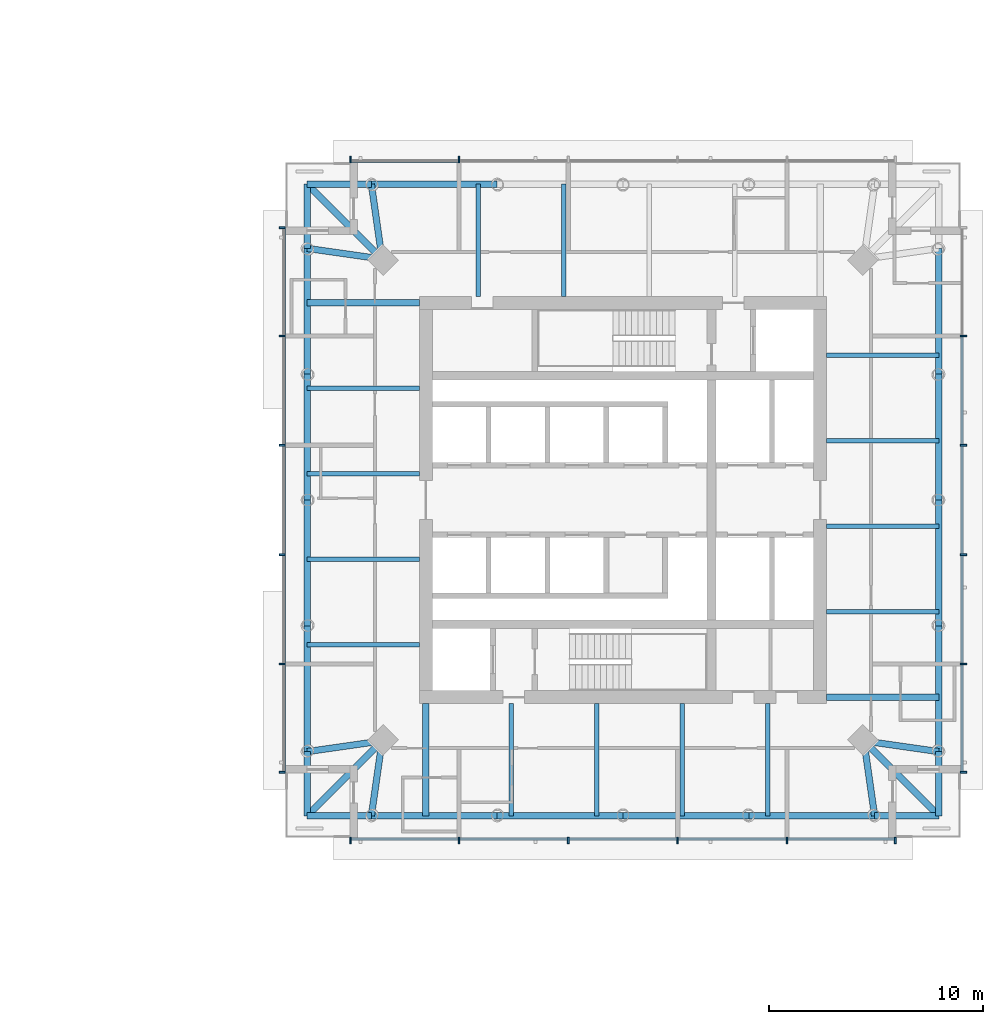
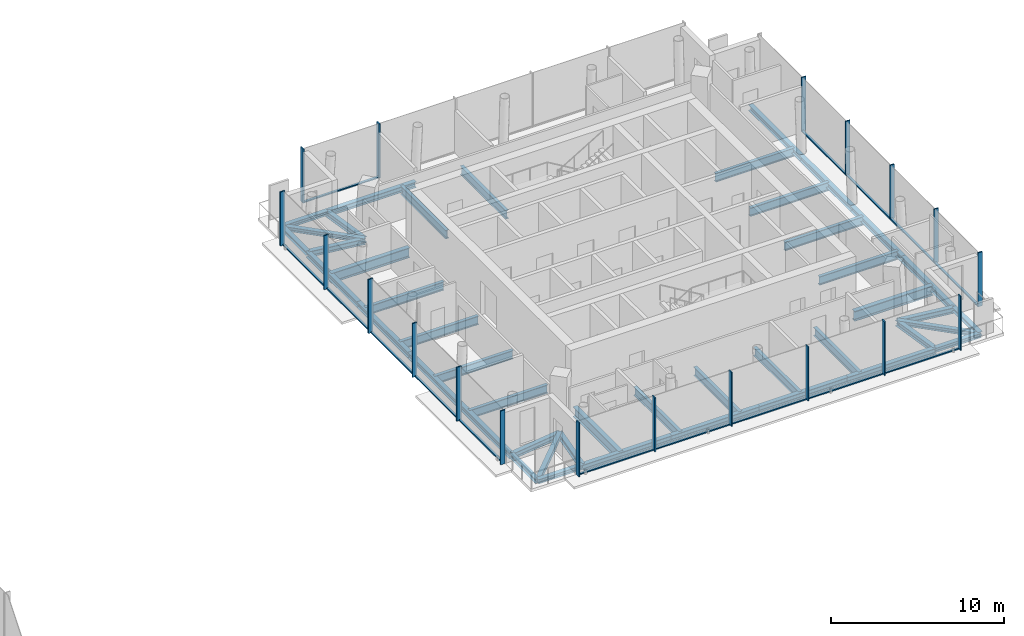
# One storey, part 4 of 19: 45 beams, 34 members, 4 elements without a shape of their own.
"""IFC4 building model written with IfcOpenShell, lengths in metres."""

from ifc_helpers import new_model, si_unit, direction, frame, origin, origin_2d, place, context, subcontext, project, spatial, rectangle, i_section, extrude, material, material_profile, profile_set, type_object, element, aggregate, save


model = new_model("IFC4")

# Units and contexts
model_context = context("Model", 3, precision=1e-05, world=origin(), true_north=direction((0.0, 1.0)))
body_context = subcontext(model_context, "Body", "Model", "MODEL_VIEW")
ifc_project = project(units=[si_unit("LENGTHUNIT", "METRE"), si_unit("AREAUNIT", "SQUARE_METRE"), si_unit("VOLUMEUNIT", "CUBIC_METRE"), si_unit("PLANEANGLEUNIT", "RADIAN"), si_unit("MASSUNIT", "GRAM", prefix="KILO")], contexts=[model_context])

# Site, building, storey
site_placement = place(None, origin())
site = spatial("IfcSite", under=ifc_project, at=site_placement, CompositionType="ELEMENT")
building_placement = place(site_placement, origin())
building = spatial("IfcBuilding", under=site, at=building_placement, Name="Ostroluk Exchange", CompositionType="ELEMENT")
storey_placement = place(building_placement, frame((0.0, 0.0, 119.800048828125)))
storey = spatial("IfcBuildingStorey", under=building, at=storey_placement, Name="L30", CompositionType="ELEMENT", Elevation=119.800048828125)

# Beams
ifc_material_1 = material(Name="Steel S355", Category="steel")
ifc_material_profile_1 = material_profile(ifc_material_1, i_section(OverallWidth=0.300048828125, OverallDepth=0.300048828125, WebThickness=0.010986328125, FlangeThickness=0.01904296875, FilletRadius=0.027099609375, at=origin_2d()), Name="HEB 300")
ifc_profile_set_1 = profile_set([ifc_material_profile_1], Name="Steel S355")
beam_type_1 = type_object("IfcBeamType", Name="Balcony beam HEB 300", PredefinedType="BEAM", material=ifc_profile_set_1)
for number, where, z_axis, x_axis, name in (
    (1, (105.258544921875, 60.741455078125, -0.35009765625), (-1.0, 0.0, 0.0), (0.0, -1.0, 0.0), "T2 north balcony beam a"),
    (2, (102.258544921875, 57.741455078125, -0.35009765625), (0.0, 1.0, 0.0), (-1.0, 0.0, 0.0), "T2 north balcony beam b"),
):
    element("IfcBeam", number, at=place(storey_placement, frame(where, z_axis=z_axis, x_axis=x_axis)), inside=storey, type_object=beam_type_1, Name=name, PredefinedType="BEAM", context=body_context, shape_type="SweptSolid", body=[
        extrude(i_section(OverallWidth=0.300048828125, OverallDepth=0.300048828125, WebThickness=0.010986328125, FlangeThickness=0.01904296875, FilletRadius=0.027099609375, at=origin_2d()), origin(), (0.0, 0.0, 1.0), 3.0),
    ])
beam_1_placement = place(storey_placement, frame((105.758544921875, 57.241455078125, -0.35009765625), z_axis=(-0.707106781187, 0.707106781187, 0.0), x_axis=(-0.707106781187, -0.707106781187, 0.0)))
element("IfcBeam", 3, at=beam_1_placement, inside=storey, type_object=beam_type_1, Name="T2 north balcony beam c", PredefinedType="BEAM", context=body_context, shape_type="SweptSolid", body=[
    extrude(i_section(OverallWidth=0.300048828125, OverallDepth=0.300048828125, WebThickness=0.010986328125, FlangeThickness=0.01904296875, FilletRadius=0.027099609375, at=origin_2d()), origin(), (0.0, 0.0, 1.0), 4.94970703125),
])
for number, where, z_axis, x_axis, name in (
    (4, (102.258544921875, 34.258544921875, -0.35009765625), (0.0, -1.0, 0.0), (1.0, 0.0, 0.0), "T2 west balcony beam a"),
    (5, (105.258544921875, 31.258544921875, -0.35009765625), (-1.0, 0.0, 0.0), (0.0, -1.0, 0.0), "T2 west balcony beam b"),
):
    element("IfcBeam", number, at=place(storey_placement, frame(where, z_axis=z_axis, x_axis=x_axis)), inside=storey, type_object=beam_type_1, Name=name, PredefinedType="BEAM", context=body_context, shape_type="SweptSolid", body=[
        extrude(i_section(OverallWidth=0.300048828125, OverallDepth=0.300048828125, WebThickness=0.010986328125, FlangeThickness=0.01904296875, FilletRadius=0.027099609375, at=origin_2d()), origin(), (0.0, 0.0, 1.0), 3.0),
    ])
beam_2_placement = place(storey_placement, frame((105.758544921875, 34.758544921875, -0.35009765625), z_axis=(-0.707106781187, -0.707106781187, 0.0), x_axis=(0.707106781187, -0.707106781187, 0.0)))
element("IfcBeam", 6, at=beam_2_placement, inside=storey, type_object=beam_type_1, Name="T2 west balcony beam c", PredefinedType="BEAM", context=body_context, shape_type="SweptSolid", body=[
    extrude(i_section(OverallWidth=0.300048828125, OverallDepth=0.300048828125, WebThickness=0.010986328125, FlangeThickness=0.01904296875, FilletRadius=0.027099609375, at=origin_2d()), origin(), (0.0, 0.0, 1.0), 4.94970703125),
])
for number, where, z_axis, x_axis, name in (
    (7, (128.741455078125, 31.258544921875, -0.35009765625), (1.0, 0.0, 0.0), (0.0, 1.0, 0.0), "T2 south balcony beam a"),
    (8, (131.741455078125, 34.258544921875, -0.35009765625), (0.0, -1.0, 0.0), (1.0, 0.0, 0.0), "T2 south balcony beam b"),
):
    element("IfcBeam", number, at=place(storey_placement, frame(where, z_axis=z_axis, x_axis=x_axis)), inside=storey, type_object=beam_type_1, Name=name, PredefinedType="BEAM", context=body_context, shape_type="SweptSolid", body=[
        extrude(i_section(OverallWidth=0.300048828125, OverallDepth=0.300048828125, WebThickness=0.010986328125, FlangeThickness=0.01904296875, FilletRadius=0.027099609375, at=origin_2d()), origin(), (0.0, 0.0, 1.0), 3.0),
    ])
beam_3_placement = place(storey_placement, frame((128.241455078125, 34.758544921875, -0.35009765625), z_axis=(0.707106781187, -0.707106781187, 0.0), x_axis=(0.707106781187, 0.707106781187, 0.0)))
element("IfcBeam", 9, at=beam_3_placement, inside=storey, type_object=beam_type_1, Name="T2 south balcony beam c", PredefinedType="BEAM", context=body_context, shape_type="SweptSolid", body=[
    extrude(i_section(OverallWidth=0.300048828125, OverallDepth=0.300048828125, WebThickness=0.010986328125, FlangeThickness=0.01904296875, FilletRadius=0.027099609375, at=origin_2d()), origin(), (0.0, 0.0, 1.0), 4.94970703125),
])
ifc_material_2 = material(Name="Steel S355", Category="steel")
ifc_material_profile_2 = material_profile(ifc_material_2, i_section(OverallWidth=0.300048828125, OverallDepth=0.39990234375, WebThickness=0.013427734375, FlangeThickness=0.02392578125, FilletRadius=0.027099609375, at=origin_2d()), Name="HEB 400")
ifc_profile_set_2 = profile_set([ifc_material_profile_2], Name="Steel S355")
beam_type_2 = type_object("IfcBeamType", Name="Corner edge beam HEB 400", PredefinedType="SPANDREL", material=ifc_profile_set_2)
for number, where, z_axis, x_axis, name in (
    (10, (105.758544921875, 57.241455078125, -0.400146484375), (-0.141421356237, 0.989949493661, 0.0), (-0.989949493661, -0.141421356237, 0.0), "T2 north corner edge beam a"),
    (11, (105.758544921875, 57.241455078125, -0.400146484375), (-0.989949493661, 0.141421356237, 0.0), (-0.141421356237, -0.989949493661, 0.0), "T2 north corner edge beam b"),
    (12, (105.758544921875, 34.758544921875, -0.400146484375), (-0.989949493661, -0.141421356237, 0.0), (0.141421356237, -0.989949493661, 0.0), "T2 west corner edge beam a"),
    (13, (105.758544921875, 34.758544921875, -0.400146484375), (-0.141421356237, -0.989949493661, 0.0), (0.989949493661, -0.141421356237, 0.0), "T2 west corner edge beam b"),
    (14, (128.241455078125, 34.758544921875, -0.400146484375), (0.141421356237, -0.989949493661, 0.0), (0.989949493661, 0.141421356237, 0.0), "T2 south corner edge beam a"),
    (15, (128.241455078125, 34.758544921875, -0.400146484375), (0.989949493661, -0.141421356237, 0.0), (0.141421356237, 0.989949493661, 0.0), "T2 south corner edge beam b"),
):
    element("IfcBeam", number, at=place(storey_placement, frame(where, z_axis=z_axis, x_axis=x_axis)), inside=storey, type_object=beam_type_2, Name=name, PredefinedType="SPANDREL", context=body_context, shape_type="SweptSolid", body=[
        extrude(i_section(OverallWidth=0.300048828125, OverallDepth=0.39990234375, WebThickness=0.013427734375, FlangeThickness=0.02392578125, FilletRadius=0.027099609375, at=origin_2d()), origin(), (0.0, 0.0, 1.0), 3.53564453125),
    ])
ifc_material_3 = material(Name="Steel S355", Category="steel")
ifc_material_profile_3 = material_profile(ifc_material_3, i_section(OverallWidth=0.219970703125, OverallDepth=0.60009765625, WebThickness=0.011962890625, FlangeThickness=0.01904296875, FilletRadius=0.02392578125, at=origin_2d()), Name="IPE 600")
ifc_profile_set_3 = profile_set([ifc_material_profile_3], Name="Steel S355")
beam_type_3 = type_object("IfcBeamType", Name="Floor beam IPE 600", PredefinedType="BEAM", material=ifc_profile_set_3)
for number, where, z_axis, x_axis, name in (
    (16, (126.5, 40.790283203125, -0.5), (1.0, 0.0, 0.0), (0.0, 1.0, 0.0), "T2 east floor beam 1"),
    (17, (126.5, 44.780517578125, -0.5), (1.0, 0.0, 0.0), (0.0, 1.0, 0.0), "T2 east floor beam 2"),
    (18, (126.5, 48.770751953125, -0.5), (1.0, 0.0, 0.0), (0.0, 1.0, 0.0), "T2 east floor beam 3"),
    (19, (126.5, 52.760986328125, -0.5), (1.0, 0.0, 0.0), (0.0, 1.0, 0.0), "T2 east floor beam 4"),
    (20, (114.229248046875, 55.5, -0.5), (0.0, 1.0, 0.0), (-1.0, 0.0, 0.0), "T2 north floor beam 3"),
    (21, (110.239013671875, 55.5, -0.5), (0.0, 1.0, 0.0), (-1.0, 0.0, 0.0), "T2 north floor beam 4"),
    (22, (107.5, 51.209716796875, -0.5), (-1.0, 0.0, 0.0), (0.0, -1.0, 0.0), "T2 west floor beam 1"),
    (23, (107.5, 47.219482421875, -0.5), (-1.0, 0.0, 0.0), (0.0, -1.0, 0.0), "T2 west floor beam 2"),
    (24, (107.5, 43.229248046875, -0.5), (-1.0, 0.0, 0.0), (0.0, -1.0, 0.0), "T2 west floor beam 3"),
    (25, (107.5, 39.239013671875, -0.5), (-1.0, 0.0, 0.0), (0.0, -1.0, 0.0), "T2 west floor beam 4"),
    (26, (111.790283203125, 36.5, -0.5), (0.0, -1.0, 0.0), (1.0, 0.0, 0.0), "T2 south floor beam 1"),
    (27, (115.780517578125, 36.5, -0.5), (0.0, -1.0, 0.0), (1.0, 0.0, 0.0), "T2 south floor beam 2"),
    (28, (119.770751953125, 36.5, -0.5), (0.0, -1.0, 0.0), (1.0, 0.0, 0.0), "T2 south floor beam 3"),
    (29, (123.760986328125, 36.5, -0.5), (0.0, -1.0, 0.0), (1.0, 0.0, 0.0), "T2 south floor beam 4"),
):
    element("IfcBeam", number, at=place(storey_placement, frame(where, z_axis=z_axis, x_axis=x_axis)), inside=storey, type_object=beam_type_3, Name=name, PredefinedType="BEAM", context=body_context, shape_type="SweptSolid", body=[
        extrude(i_section(OverallWidth=0.219970703125, OverallDepth=0.60009765625, WebThickness=0.011962890625, FlangeThickness=0.01904296875, FilletRadius=0.02392578125, at=origin_2d()), origin(), (0.0, 0.0, 1.0), 5.241455078125),
    ])
ifc_material_4 = material(Name="Steel S355", Category="steel")
ifc_material_profile_4 = material_profile(ifc_material_4, i_section(OverallWidth=0.300048828125, OverallDepth=0.699951171875, WebThickness=0.01708984375, FlangeThickness=0.031982421875, FilletRadius=0.027099609375, at=origin_2d()), Name="HEB 700")
ifc_profile_set_4 = profile_set([ifc_material_profile_4], Name="Steel S355")
beam_type_4 = type_object("IfcBeamType", Name="Girder HEB 700", PredefinedType="BEAM", material=ifc_profile_set_4)
for number, where, z_axis, x_axis, name in (
    (30, (107.5, 55.199951171875, -0.550048828125), (-1.0, 0.0, 0.0), (0.0, -1.0, 0.0), "T2 north girder"),
    (31, (107.800048828125, 36.5, -0.550048828125), (0.0, -1.0, 0.0), (1.0, 0.0, 0.0), "T2 west girder"),
    (32, (126.5, 36.800048828125, -0.550048828125), (1.0, 0.0, 0.0), (0.0, 1.0, 0.0), "T2 south girder"),
):
    element("IfcBeam", number, at=place(storey_placement, frame(where, z_axis=z_axis, x_axis=x_axis)), inside=storey, type_object=beam_type_4, Name=name, PredefinedType="BEAM", context=body_context, shape_type="SweptSolid", body=[
        extrude(i_section(OverallWidth=0.300048828125, OverallDepth=0.699951171875, WebThickness=0.01708984375, FlangeThickness=0.031982421875, FilletRadius=0.027099609375, at=origin_2d()), origin(), (0.0, 0.0, 1.0), 5.241455078125),
    ])
ifc_material_5 = material(Name="Steel S355", Category="steel")
ifc_material_profile_5 = material_profile(ifc_material_5, i_section(OverallWidth=0.300048828125, OverallDepth=0.39990234375, WebThickness=0.013427734375, FlangeThickness=0.02392578125, FilletRadius=0.027099609375, at=origin_2d()), Name="HEB 400")
ifc_profile_set_5 = profile_set([ifc_material_profile_5], Name="Steel S355")
beam_type_5 = type_object("IfcBeamType", Name="Moment-connected edge beam HEB 400", PredefinedType="SPANDREL", material=ifc_profile_set_5)
beam_4_placement = place(storey_placement, frame((131.741455078125, 34.258544921875, -0.400146484375), z_axis=(0.0, 1.0, 0.0), x_axis=(-1.0, 0.0, 0.0)))
element("IfcBeam", 33, at=beam_4_placement, inside=storey, type_object=beam_type_5, Name="T2 east edge beam 1", PredefinedType="SPANDREL", context=body_context, shape_type="SweptSolid", body=[
    extrude(i_section(OverallWidth=0.300048828125, OverallDepth=0.39990234375, WebThickness=0.013427734375, FlangeThickness=0.02392578125, FilletRadius=0.027099609375, at=origin_2d()), origin(), (0.0, 0.0, 1.0), 5.870849609375),
])
for number, where, z_axis, x_axis, name in (
    (34, (131.741455078125, 40.12939453125, -0.400146484375), (0.0, 1.0, 0.0), (-1.0, 0.0, 0.0), "T2 east edge beam 2"),
    (35, (131.741455078125, 46.0, -0.400146484375), (0.0, 1.0, 0.0), (-1.0, 0.0, 0.0), "T2 east edge beam 3"),
):
    element("IfcBeam", number, at=place(storey_placement, frame(where, z_axis=z_axis, x_axis=x_axis)), inside=storey, type_object=beam_type_5, Name=name, PredefinedType="SPANDREL", context=body_context, shape_type="SweptSolid", body=[
        extrude(i_section(OverallWidth=0.300048828125, OverallDepth=0.39990234375, WebThickness=0.013427734375, FlangeThickness=0.02392578125, FilletRadius=0.027099609375, at=origin_2d()), origin(), (0.0, 0.0, 1.0), 5.87060546875),
    ])
for number, where, z_axis, x_axis, name in (
    (36, (131.741455078125, 51.87060546875, -0.400146484375), (0.0, 1.0, 0.0), (-1.0, 0.0, 0.0), "T2 east edge beam 4"),
    (37, (111.12939453125, 60.741455078125, -0.400146484375), (-1.0, 0.0, 0.0), (0.0, -1.0, 0.0), "T2 north edge beam 4"),
    (38, (102.258544921875, 57.741455078125, -0.400146484375), (0.0, -1.0, 0.0), (1.0, 0.0, 0.0), "T2 west edge beam 1"),
):
    element("IfcBeam", number, at=place(storey_placement, frame(where, z_axis=z_axis, x_axis=x_axis)), inside=storey, type_object=beam_type_5, Name=name, PredefinedType="SPANDREL", context=body_context, shape_type="SweptSolid", body=[
        extrude(i_section(OverallWidth=0.300048828125, OverallDepth=0.39990234375, WebThickness=0.013427734375, FlangeThickness=0.02392578125, FilletRadius=0.027099609375, at=origin_2d()), origin(), (0.0, 0.0, 1.0), 5.870849609375),
    ])
for number, where, z_axis, x_axis, name in (
    (39, (102.258544921875, 51.87060546875, -0.400146484375), (0.0, -1.0, 0.0), (1.0, 0.0, 0.0), "T2 west edge beam 2"),
    (40, (102.258544921875, 46.0, -0.400146484375), (0.0, -1.0, 0.0), (1.0, 0.0, 0.0), "T2 west edge beam 3"),
):
    element("IfcBeam", number, at=place(storey_placement, frame(where, z_axis=z_axis, x_axis=x_axis)), inside=storey, type_object=beam_type_5, Name=name, PredefinedType="SPANDREL", context=body_context, shape_type="SweptSolid", body=[
        extrude(i_section(OverallWidth=0.300048828125, OverallDepth=0.39990234375, WebThickness=0.013427734375, FlangeThickness=0.02392578125, FilletRadius=0.027099609375, at=origin_2d()), origin(), (0.0, 0.0, 1.0), 5.87060546875),
    ])
for number, where, z_axis, x_axis, name in (
    (41, (102.258544921875, 40.12939453125, -0.400146484375), (0.0, -1.0, 0.0), (1.0, 0.0, 0.0), "T2 west edge beam 4"),
    (42, (105.258544921875, 31.258544921875, -0.400146484375), (1.0, 0.0, 0.0), (0.0, 1.0, 0.0), "T2 south edge beam 1"),
):
    element("IfcBeam", number, at=place(storey_placement, frame(where, z_axis=z_axis, x_axis=x_axis)), inside=storey, type_object=beam_type_5, Name=name, PredefinedType="SPANDREL", context=body_context, shape_type="SweptSolid", body=[
        extrude(i_section(OverallWidth=0.300048828125, OverallDepth=0.39990234375, WebThickness=0.013427734375, FlangeThickness=0.02392578125, FilletRadius=0.027099609375, at=origin_2d()), origin(), (0.0, 0.0, 1.0), 5.870849609375),
    ])
for number, where, z_axis, x_axis, name in (
    (43, (111.12939453125, 31.258544921875, -0.400146484375), (1.0, 0.0, 0.0), (0.0, 1.0, 0.0), "T2 south edge beam 2"),
    (44, (117.0, 31.258544921875, -0.400146484375), (1.0, 0.0, 0.0), (0.0, 1.0, 0.0), "T2 south edge beam 3"),
):
    element("IfcBeam", number, at=place(storey_placement, frame(where, z_axis=z_axis, x_axis=x_axis)), inside=storey, type_object=beam_type_5, Name=name, PredefinedType="SPANDREL", context=body_context, shape_type="SweptSolid", body=[
        extrude(i_section(OverallWidth=0.300048828125, OverallDepth=0.39990234375, WebThickness=0.013427734375, FlangeThickness=0.02392578125, FilletRadius=0.027099609375, at=origin_2d()), origin(), (0.0, 0.0, 1.0), 5.87060546875),
    ])
beam_5_placement = place(storey_placement, frame((122.87060546875, 31.258544921875, -0.400146484375), z_axis=(1.0, 0.0, 0.0), x_axis=(0.0, 1.0, 0.0)))
element("IfcBeam", 45, at=beam_5_placement, inside=storey, type_object=beam_type_5, Name="T2 south edge beam 4", PredefinedType="SPANDREL", context=body_context, shape_type="SweptSolid", body=[
    extrude(i_section(OverallWidth=0.300048828125, OverallDepth=0.39990234375, WebThickness=0.013427734375, FlangeThickness=0.02392578125, FilletRadius=0.027099609375, at=origin_2d()), origin(), (0.0, 0.0, 1.0), 5.870849609375),
])

# Curtain wall, members
ifc_material_6 = material(Name="Laminated clear glass", Category="glass")
curtain_wall_type = type_object("IfcCurtainWallType", Name="Hotel guest floor facade", PredefinedType="USERDEFINED", material=ifc_material_6)
curtain_wall_1_placement = place(storey_placement, origin())
curtain_wall_1 = element("IfcCurtainWall", 46, at=curtain_wall_1_placement, inside=storey, type_object=curtain_wall_type, Name="Hotel tower south facade L30", ObjectType="UNITISED CURTAIN WALL", PredefinedType="USERDEFINED")
ifc_material_7 = material(Name="Aluminium mullion", Category="aluminium")
ifc_material_profile_6 = material_profile(ifc_material_7, rectangle(XDim=0.14990234375, YDim=0.080078125, at=origin_2d()), Name="Sill transom 80 x 150")
ifc_profile_set_6 = profile_set([ifc_material_profile_6], Name="Aluminium mullion")
member_type_1 = type_object("IfcMemberType", Name="Sill transom 80 x 150", PredefinedType="USERDEFINED", material=ifc_profile_set_6)
member_1_placement = place(storey_placement, frame((104.330078125, 30.175048828125, 0.0400390625), z_axis=(1.0, 0.0, 0.0), x_axis=(0.0, 1.0, 0.0)))
member_1 = element("IfcMember", 47, at=member_1_placement, type_object=member_type_1, Name="CW-H1 transom 1.1", ObjectType="TRANSOM", PredefinedType="USERDEFINED", context=body_context, shape_type="SweptSolid", body=[
    extrude(rectangle(XDim=0.14990234375, YDim=0.080078125, at=origin_2d()), origin(), (0.0, 0.0, 1.0), 4.97998046875),
])
member_2_placement = place(storey_placement, frame((109.389892578125, 30.175048828125, 0.0400390625), z_axis=(1.0, 0.0, 0.0), x_axis=(0.0, 1.0, 0.0)))
member_2 = element("IfcMember", 48, at=member_2_placement, type_object=member_type_1, Name="CW-H1 transom 2.1", ObjectType="TRANSOM", PredefinedType="USERDEFINED", context=body_context, shape_type="SweptSolid", body=[
    extrude(rectangle(XDim=0.14990234375, YDim=0.080078125, at=origin_2d()), origin(), (0.0, 0.0, 1.0), 5.02001953125),
])
member_3_placement = place(storey_placement, frame((114.489990234375, 30.175048828125, 0.0400390625), z_axis=(1.0, 0.0, 0.0), x_axis=(0.0, 1.0, 0.0)))
member_3 = element("IfcMember", 49, at=member_3_placement, type_object=member_type_1, Name="CW-H1 transom 3.1", ObjectType="TRANSOM", PredefinedType="USERDEFINED", context=body_context, shape_type="SweptSolid", body=[
    extrude(rectangle(XDim=0.14990234375, YDim=0.080078125, at=origin_2d()), origin(), (0.0, 0.0, 1.0), 5.02001953125),
])
member_4_placement = place(storey_placement, frame((119.590087890625, 30.175048828125, 0.0400390625), z_axis=(1.0, 0.0, 0.0), x_axis=(0.0, 1.0, 0.0)))
member_4 = element("IfcMember", 50, at=member_4_placement, type_object=member_type_1, Name="CW-H1 transom 4.1", ObjectType="TRANSOM", PredefinedType="USERDEFINED", context=body_context, shape_type="SweptSolid", body=[
    extrude(rectangle(XDim=0.14990234375, YDim=0.080078125, at=origin_2d()), origin(), (0.0, 0.0, 1.0), 5.02001953125),
])
member_5_placement = place(storey_placement, frame((124.68994140625, 30.175048828125, 0.0400390625), z_axis=(1.0, 0.0, 0.0), x_axis=(0.0, 1.0, 0.0)))
member_5 = element("IfcMember", 51, at=member_5_placement, type_object=member_type_1, Name="CW-H1 transom 5.1", ObjectType="TRANSOM", PredefinedType="USERDEFINED", context=body_context, shape_type="SweptSolid", body=[
    extrude(rectangle(XDim=0.14990234375, YDim=0.080078125, at=origin_2d()), origin(), (0.0, 0.0, 1.0), 4.97998046875),
])

curtain_wall_2_placement = place(storey_placement, origin())
curtain_wall_2 = element("IfcCurtainWall", 52, at=curtain_wall_2_placement, inside=storey, type_object=curtain_wall_type, Name="Hotel tower east facade L30", ObjectType="UNITISED CURTAIN WALL", PredefinedType="USERDEFINED")
member_6_placement = place(storey_placement, frame((132.824951171875, 33.330078125, 0.0400390625), z_axis=(0.0, 1.0, 0.0), x_axis=(-1.0, 0.0, 0.0)))
member_6 = element("IfcMember", 53, at=member_6_placement, type_object=member_type_1, Name="CW-H1 transom 1.1", ObjectType="TRANSOM", PredefinedType="USERDEFINED", context=body_context, shape_type="SweptSolid", body=[
    extrude(rectangle(XDim=0.14990234375, YDim=0.080078125, at=origin_2d()), origin(), (0.0, 0.0, 1.0), 4.97998046875),
])
member_7_placement = place(storey_placement, frame((132.824951171875, 38.389892578125, 0.0400390625), z_axis=(0.0, 1.0, 0.0), x_axis=(-1.0, 0.0, 0.0)))
member_7 = element("IfcMember", 54, at=member_7_placement, type_object=member_type_1, Name="CW-H1 transom 2.1", ObjectType="TRANSOM", PredefinedType="USERDEFINED", context=body_context, shape_type="SweptSolid", body=[
    extrude(rectangle(XDim=0.14990234375, YDim=0.080078125, at=origin_2d()), origin(), (0.0, 0.0, 1.0), 5.02001953125),
])
member_8_placement = place(storey_placement, frame((132.824951171875, 43.489990234375, 0.0400390625), z_axis=(0.0, 1.0, 0.0), x_axis=(-1.0, 0.0, 0.0)))
member_8 = element("IfcMember", 55, at=member_8_placement, type_object=member_type_1, Name="CW-H1 transom 3.1", ObjectType="TRANSOM", PredefinedType="USERDEFINED", context=body_context, shape_type="SweptSolid", body=[
    extrude(rectangle(XDim=0.14990234375, YDim=0.080078125, at=origin_2d()), origin(), (0.0, 0.0, 1.0), 5.02001953125),
])
member_9_placement = place(storey_placement, frame((132.824951171875, 48.590087890625, 0.0400390625), z_axis=(0.0, 1.0, 0.0), x_axis=(-1.0, 0.0, 0.0)))
member_9 = element("IfcMember", 56, at=member_9_placement, type_object=member_type_1, Name="CW-H1 transom 4.1", ObjectType="TRANSOM", PredefinedType="USERDEFINED", context=body_context, shape_type="SweptSolid", body=[
    extrude(rectangle(XDim=0.14990234375, YDim=0.080078125, at=origin_2d()), origin(), (0.0, 0.0, 1.0), 5.02001953125),
])

# Curtain wall, member
curtain_wall_3_placement = place(storey_placement, origin())
curtain_wall_3 = element("IfcCurtainWall", 57, at=curtain_wall_3_placement, inside=storey, type_object=curtain_wall_type, Name="Hotel tower north facade L30", ObjectType="UNITISED CURTAIN WALL", PredefinedType="USERDEFINED")
member_10_placement = place(storey_placement, frame((109.31005859375, 61.824951171875, 0.0400390625), z_axis=(-1.0, 0.0, 0.0), x_axis=(0.0, -1.0, 0.0)))
member_10 = element("IfcMember", 58, at=member_10_placement, type_object=member_type_1, Name="CW-H1 transom 5.1", ObjectType="TRANSOM", PredefinedType="USERDEFINED", context=body_context, shape_type="SweptSolid", body=[
    extrude(rectangle(XDim=0.14990234375, YDim=0.080078125, at=origin_2d()), origin(), (0.0, 0.0, 1.0), 4.97998046875),
])

# Curtain wall, members
curtain_wall_4_placement = place(storey_placement, origin())
curtain_wall_4 = element("IfcCurtainWall", 59, at=curtain_wall_4_placement, inside=storey, type_object=curtain_wall_type, Name="Hotel tower west facade L30", ObjectType="UNITISED CURTAIN WALL", PredefinedType="USERDEFINED")
member_11_placement = place(storey_placement, frame((101.175048828125, 58.669921875, 0.0400390625), z_axis=(0.0, -1.0, 0.0), x_axis=(1.0, 0.0, 0.0)))
member_11 = element("IfcMember", 60, at=member_11_placement, type_object=member_type_1, Name="CW-H1 transom 1.1", ObjectType="TRANSOM", PredefinedType="USERDEFINED", context=body_context, shape_type="SweptSolid", body=[
    extrude(rectangle(XDim=0.14990234375, YDim=0.080078125, at=origin_2d()), origin(), (0.0, 0.0, 1.0), 4.97998046875),
])
member_12_placement = place(storey_placement, frame((101.175048828125, 53.610107421875, 0.0400390625), z_axis=(0.0, -1.0, 0.0), x_axis=(1.0, 0.0, 0.0)))
member_12 = element("IfcMember", 61, at=member_12_placement, type_object=member_type_1, Name="CW-H1 transom 2.1", ObjectType="TRANSOM", PredefinedType="USERDEFINED", context=body_context, shape_type="SweptSolid", body=[
    extrude(rectangle(XDim=0.14990234375, YDim=0.080078125, at=origin_2d()), origin(), (0.0, 0.0, 1.0), 5.02001953125),
])
member_13_placement = place(storey_placement, frame((101.175048828125, 48.510009765625, 0.0400390625), z_axis=(0.0, -1.0, 0.0), x_axis=(1.0, 0.0, 0.0)))
member_13 = element("IfcMember", 62, at=member_13_placement, type_object=member_type_1, Name="CW-H1 transom 3.1", ObjectType="TRANSOM", PredefinedType="USERDEFINED", context=body_context, shape_type="SweptSolid", body=[
    extrude(rectangle(XDim=0.14990234375, YDim=0.080078125, at=origin_2d()), origin(), (0.0, 0.0, 1.0), 5.02001953125),
])
member_14_placement = place(storey_placement, frame((101.175048828125, 43.409912109375, 0.0400390625), z_axis=(0.0, -1.0, 0.0), x_axis=(1.0, 0.0, 0.0)))
member_14 = element("IfcMember", 63, at=member_14_placement, type_object=member_type_1, Name="CW-H1 transom 4.1", ObjectType="TRANSOM", PredefinedType="USERDEFINED", context=body_context, shape_type="SweptSolid", body=[
    extrude(rectangle(XDim=0.14990234375, YDim=0.080078125, at=origin_2d()), origin(), (0.0, 0.0, 1.0), 5.02001953125),
])
member_15_placement = place(storey_placement, frame((101.175048828125, 38.31005859375, 0.0400390625), z_axis=(0.0, -1.0, 0.0), x_axis=(1.0, 0.0, 0.0)))
member_15 = element("IfcMember", 64, at=member_15_placement, type_object=member_type_1, Name="CW-H1 transom 5.1", ObjectType="TRANSOM", PredefinedType="USERDEFINED", context=body_context, shape_type="SweptSolid", body=[
    extrude(rectangle(XDim=0.14990234375, YDim=0.080078125, at=origin_2d()), origin(), (0.0, 0.0, 1.0), 4.97998046875),
])

# Member
ifc_material_8 = material(Name="Aluminium mullion with limestone facing", Category="masonry")
ifc_material_profile_7 = material_profile(ifc_material_8, rectangle(XDim=0.300048828125, YDim=0.080078125, at=origin_2d()), Name="Tracery mullion 80 x 300")
ifc_profile_set_7 = profile_set([ifc_material_profile_7], Name="Aluminium mullion with limestone facing")
member_type_2 = type_object("IfcMemberType", Name="Tracery mullion 80 x 300", PredefinedType="MULLION", material=ifc_profile_set_7)
member_16_placement = place(storey_placement, frame((104.2900390625, 30.10009765625, 0.0), z_axis=(0.0, 0.0, 1.0), x_axis=(0.0, 1.0, 0.0)))
member_16 = element("IfcMember", 65, at=member_16_placement, type_object=member_type_2, Name="CW-H1 mullion 1", PredefinedType="MULLION", context=body_context, shape_type="SweptSolid", body=[
    extrude(rectangle(XDim=0.300048828125, YDim=0.080078125, at=origin_2d()), origin(), (0.0, 0.0, 1.0), 3.800048828125),
])

member_17_placement = place(storey_placement, frame((109.35009765625, 30.10009765625, 0.0), z_axis=(0.0, 0.0, 1.0), x_axis=(0.0, 1.0, 0.0)))
member_17 = element("IfcMember", 66, at=member_17_placement, type_object=member_type_2, Name="CW-H1 mullion 2", PredefinedType="MULLION", context=body_context, shape_type="SweptSolid", body=[
    extrude(rectangle(XDim=0.300048828125, YDim=0.080078125, at=origin_2d()), origin(), (0.0, 0.0, 1.0), 3.800048828125),
])

member_18_placement = place(storey_placement, frame((114.449951171875, 30.10009765625, 0.0), z_axis=(0.0, 0.0, 1.0), x_axis=(0.0, 1.0, 0.0)))
member_18 = element("IfcMember", 67, at=member_18_placement, type_object=member_type_2, Name="CW-H1 mullion 3", PredefinedType="MULLION", context=body_context, shape_type="SweptSolid", body=[
    extrude(rectangle(XDim=0.300048828125, YDim=0.080078125, at=origin_2d()), origin(), (0.0, 0.0, 1.0), 3.800048828125),
])

member_19_placement = place(storey_placement, frame((119.550048828125, 30.10009765625, 0.0), z_axis=(0.0, 0.0, 1.0), x_axis=(0.0, 1.0, 0.0)))
member_19 = element("IfcMember", 68, at=member_19_placement, type_object=member_type_2, Name="CW-H1 mullion 4", PredefinedType="MULLION", context=body_context, shape_type="SweptSolid", body=[
    extrude(rectangle(XDim=0.300048828125, YDim=0.080078125, at=origin_2d()), origin(), (0.0, 0.0, 1.0), 3.800048828125),
])

member_20_placement = place(storey_placement, frame((124.64990234375, 30.10009765625, 0.0), z_axis=(0.0, 0.0, 1.0), x_axis=(0.0, 1.0, 0.0)))
member_20 = element("IfcMember", 69, at=member_20_placement, type_object=member_type_2, Name="CW-H1 mullion 5", PredefinedType="MULLION", context=body_context, shape_type="SweptSolid", body=[
    extrude(rectangle(XDim=0.300048828125, YDim=0.080078125, at=origin_2d()), origin(), (0.0, 0.0, 1.0), 3.800048828125),
])

member_21_placement = place(storey_placement, frame((129.7099609375, 30.10009765625, 0.0), z_axis=(0.0, 0.0, 1.0), x_axis=(0.0, 1.0, 0.0)))
member_21 = element("IfcMember", 70, at=member_21_placement, type_object=member_type_2, Name="CW-H1 mullion 6", PredefinedType="MULLION", context=body_context, shape_type="SweptSolid", body=[
    extrude(rectangle(XDim=0.300048828125, YDim=0.080078125, at=origin_2d()), origin(), (0.0, 0.0, 1.0), 3.800048828125),
])

aggregate(curtain_wall_1, [member_16, member_17, member_18, member_19, member_20, member_21, member_1, member_2, member_3, member_4, member_5])

member_22_placement = place(storey_placement, frame((132.89990234375, 33.2900390625, 0.0), z_axis=(0.0, 0.0, 1.0), x_axis=(-1.0, 0.0, 0.0)))
member_22 = element("IfcMember", 71, at=member_22_placement, type_object=member_type_2, Name="CW-H1 mullion 1", PredefinedType="MULLION", context=body_context, shape_type="SweptSolid", body=[
    extrude(rectangle(XDim=0.300048828125, YDim=0.080078125, at=origin_2d()), origin(), (0.0, 0.0, 1.0), 3.800048828125),
])

member_23_placement = place(storey_placement, frame((132.89990234375, 38.35009765625, 0.0), z_axis=(0.0, 0.0, 1.0), x_axis=(-1.0, 0.0, 0.0)))
member_23 = element("IfcMember", 72, at=member_23_placement, type_object=member_type_2, Name="CW-H1 mullion 2", PredefinedType="MULLION", context=body_context, shape_type="SweptSolid", body=[
    extrude(rectangle(XDim=0.300048828125, YDim=0.080078125, at=origin_2d()), origin(), (0.0, 0.0, 1.0), 3.800048828125),
])

member_24_placement = place(storey_placement, frame((132.89990234375, 43.449951171875, 0.0), z_axis=(0.0, 0.0, 1.0), x_axis=(-1.0, 0.0, 0.0)))
member_24 = element("IfcMember", 73, at=member_24_placement, type_object=member_type_2, Name="CW-H1 mullion 3", PredefinedType="MULLION", context=body_context, shape_type="SweptSolid", body=[
    extrude(rectangle(XDim=0.300048828125, YDim=0.080078125, at=origin_2d()), origin(), (0.0, 0.0, 1.0), 3.800048828125),
])

member_25_placement = place(storey_placement, frame((132.89990234375, 48.550048828125, 0.0), z_axis=(0.0, 0.0, 1.0), x_axis=(-1.0, 0.0, 0.0)))
member_25 = element("IfcMember", 74, at=member_25_placement, type_object=member_type_2, Name="CW-H1 mullion 4", PredefinedType="MULLION", context=body_context, shape_type="SweptSolid", body=[
    extrude(rectangle(XDim=0.300048828125, YDim=0.080078125, at=origin_2d()), origin(), (0.0, 0.0, 1.0), 3.800048828125),
])

member_26_placement = place(storey_placement, frame((132.89990234375, 53.64990234375, 0.0), z_axis=(0.0, 0.0, 1.0), x_axis=(-1.0, 0.0, 0.0)))
member_26 = element("IfcMember", 75, at=member_26_placement, type_object=member_type_2, Name="CW-H1 mullion 5", PredefinedType="MULLION", context=body_context, shape_type="SweptSolid", body=[
    extrude(rectangle(XDim=0.300048828125, YDim=0.080078125, at=origin_2d()), origin(), (0.0, 0.0, 1.0), 3.800048828125),
])

aggregate(curtain_wall_2, [member_22, member_23, member_24, member_25, member_26, member_6, member_7, member_8, member_9])

member_27_placement = place(storey_placement, frame((109.35009765625, 61.89990234375, 0.0), z_axis=(0.0, 0.0, 1.0), x_axis=(0.0, -1.0, 0.0)))
member_27 = element("IfcMember", 76, at=member_27_placement, type_object=member_type_2, Name="CW-H1 mullion 5", PredefinedType="MULLION", context=body_context, shape_type="SweptSolid", body=[
    extrude(rectangle(XDim=0.300048828125, YDim=0.080078125, at=origin_2d()), origin(), (0.0, 0.0, 1.0), 3.800048828125),
])

member_28_placement = place(storey_placement, frame((104.2900390625, 61.89990234375, 0.0), z_axis=(0.0, 0.0, 1.0), x_axis=(0.0, -1.0, 0.0)))
member_28 = element("IfcMember", 77, at=member_28_placement, type_object=member_type_2, Name="CW-H1 mullion 6", PredefinedType="MULLION", context=body_context, shape_type="SweptSolid", body=[
    extrude(rectangle(XDim=0.300048828125, YDim=0.080078125, at=origin_2d()), origin(), (0.0, 0.0, 1.0), 3.800048828125),
])

aggregate(curtain_wall_3, [member_27, member_28, member_10])

member_29_placement = place(storey_placement, frame((101.10009765625, 58.7099609375, 0.0), z_axis=(0.0, 0.0, 1.0), x_axis=(1.0, 0.0, 0.0)))
member_29 = element("IfcMember", 78, at=member_29_placement, type_object=member_type_2, Name="CW-H1 mullion 1", PredefinedType="MULLION", context=body_context, shape_type="SweptSolid", body=[
    extrude(rectangle(XDim=0.300048828125, YDim=0.080078125, at=origin_2d()), origin(), (0.0, 0.0, 1.0), 3.800048828125),
])

member_30_placement = place(storey_placement, frame((101.10009765625, 53.64990234375, 0.0), z_axis=(0.0, 0.0, 1.0), x_axis=(1.0, 0.0, 0.0)))
member_30 = element("IfcMember", 79, at=member_30_placement, type_object=member_type_2, Name="CW-H1 mullion 2", PredefinedType="MULLION", context=body_context, shape_type="SweptSolid", body=[
    extrude(rectangle(XDim=0.300048828125, YDim=0.080078125, at=origin_2d()), origin(), (0.0, 0.0, 1.0), 3.800048828125),
])

member_31_placement = place(storey_placement, frame((101.10009765625, 48.550048828125, 0.0), z_axis=(0.0, 0.0, 1.0), x_axis=(1.0, 0.0, 0.0)))
member_31 = element("IfcMember", 80, at=member_31_placement, type_object=member_type_2, Name="CW-H1 mullion 3", PredefinedType="MULLION", context=body_context, shape_type="SweptSolid", body=[
    extrude(rectangle(XDim=0.300048828125, YDim=0.080078125, at=origin_2d()), origin(), (0.0, 0.0, 1.0), 3.800048828125),
])

member_32_placement = place(storey_placement, frame((101.10009765625, 43.449951171875, 0.0), z_axis=(0.0, 0.0, 1.0), x_axis=(1.0, 0.0, 0.0)))
member_32 = element("IfcMember", 81, at=member_32_placement, type_object=member_type_2, Name="CW-H1 mullion 4", PredefinedType="MULLION", context=body_context, shape_type="SweptSolid", body=[
    extrude(rectangle(XDim=0.300048828125, YDim=0.080078125, at=origin_2d()), origin(), (0.0, 0.0, 1.0), 3.800048828125),
])

member_33_placement = place(storey_placement, frame((101.10009765625, 38.35009765625, 0.0), z_axis=(0.0, 0.0, 1.0), x_axis=(1.0, 0.0, 0.0)))
member_33 = element("IfcMember", 82, at=member_33_placement, type_object=member_type_2, Name="CW-H1 mullion 5", PredefinedType="MULLION", context=body_context, shape_type="SweptSolid", body=[
    extrude(rectangle(XDim=0.300048828125, YDim=0.080078125, at=origin_2d()), origin(), (0.0, 0.0, 1.0), 3.800048828125),
])

member_34_placement = place(storey_placement, frame((101.10009765625, 33.2900390625, 0.0), z_axis=(0.0, 0.0, 1.0), x_axis=(1.0, 0.0, 0.0)))
member_34 = element("IfcMember", 83, at=member_34_placement, type_object=member_type_2, Name="CW-H1 mullion 6", PredefinedType="MULLION", context=body_context, shape_type="SweptSolid", body=[
    extrude(rectangle(XDim=0.300048828125, YDim=0.080078125, at=origin_2d()), origin(), (0.0, 0.0, 1.0), 3.800048828125),
])

aggregate(curtain_wall_4, [member_29, member_30, member_31, member_32, member_33, member_34, member_11, member_12, member_13, member_14, member_15])

save(model, "model.ifc")
